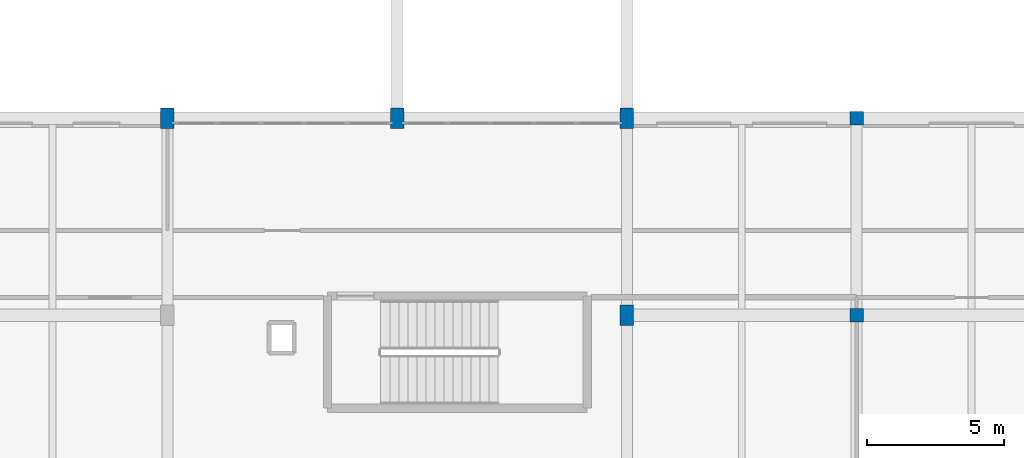
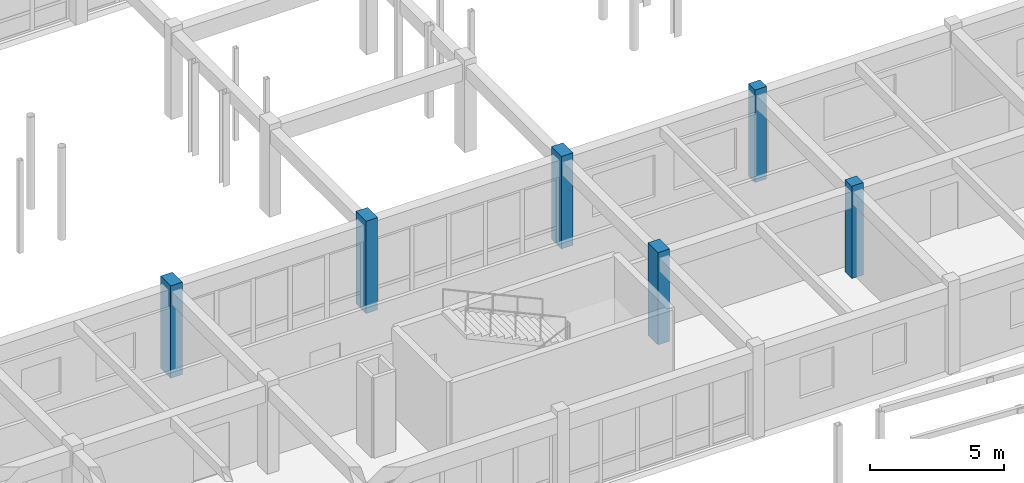
# One storey, part 18 of 90: 6 columns.
"""IFC4 building model written with IfcOpenShell, lengths in metres."""

from ifc_helpers import new_model, si_unit, direction, frame, origin, origin_2d, place, context, subcontext, project, spatial, rectangle, extrude, material, material_profile, profile_set, type_object, element, save


model = new_model("IFC4")

# Units and contexts
model_context = context("Model", 3, precision=1e-05, world=origin(), true_north=direction((0.0, 1.0)))
body_context = subcontext(model_context, "Body", "Model", "MODEL_VIEW")
ifc_project = project(units=[si_unit("LENGTHUNIT", "METRE"), si_unit("AREAUNIT", "SQUARE_METRE"), si_unit("VOLUMEUNIT", "CUBIC_METRE"), si_unit("PLANEANGLEUNIT", "RADIAN"), si_unit("MASSUNIT", "GRAM", prefix="KILO")], contexts=[model_context])

# Site, building, storey
site_placement = place(None, origin())
site = spatial("IfcSite", under=ifc_project, at=site_placement, CompositionType="ELEMENT")
building_placement = place(site_placement, origin())
building = spatial("IfcBuilding", under=site, at=building_placement, Name="Malvenik Polytechnic", CompositionType="ELEMENT")
storey_placement = place(building_placement, frame((0.0, 0.0, 9.300048828125)))
storey = spatial("IfcBuildingStorey", under=building, at=storey_placement, Name="L02", CompositionType="ELEMENT", Elevation=9.300048828125)

# Columns
ifc_material = material(Name="Concrete C35/45", Category="concrete")
ifc_material_profile_1 = material_profile(ifc_material, rectangle(XDim=0.5, YDim=0.5, at=origin_2d()), Name="RC COL 500x500")
ifc_profile_set_1 = profile_set([ifc_material_profile_1], Name="Concrete C35/45")
column_type_1 = type_object("IfcColumnType", Name="STR-COL-C-08", PredefinedType="COLUMN", material=ifc_profile_set_1)
for number, where, z_axis, x_axis, name in (
    (1, (92.39990234375, 86.39990234375, 0.0), (0.0, 0.0, 1.0), (1.0, 0.0, 0.0), "Column C-08 L02 (92.4,86.4)"),
    (2, (92.39990234375, 93.60009765625, 0.0), (0.0, 0.0, 1.0), (1.0, 0.0, 0.0), "Column C-08 L02 (92.4,93.6)"),
):
    element("IfcColumn", number, at=place(storey_placement, frame(where, z_axis=z_axis, x_axis=x_axis)), inside=storey, type_object=column_type_1, Name=name, PredefinedType="COLUMN", context=body_context, shape_type="SweptSolid", body=[
        extrude(rectangle(XDim=0.5, YDim=0.5, at=origin_2d()), origin(), (0.0, 0.0, 1.0), 4.199951171875),
    ])
ifc_material_profile_2 = material_profile(ifc_material, rectangle(XDim=0.5, YDim=0.75, at=origin_2d()), Name="RC COL 750x500")
ifc_profile_set_2 = profile_set([ifc_material_profile_2], Name="Concrete C35/45")
column_type_2 = type_object("IfcColumnType", Name="STR-COL-C-14", PredefinedType="COLUMN", material=ifc_profile_set_2)
for number, where, z_axis, x_axis, name in (
    (3, (67.199951171875, 93.60009765625, 0.0), (0.0, 0.0, 1.0), (1.0, 0.0, 0.0), "Column C-14 L02 (67.2,93.6)"),
    (4, (75.60009765625, 93.60009765625, 0.0), (0.0, 0.0, 1.0), (1.0, 0.0, 0.0), "Column C-14 L02 (75.6,93.6)"),
    (5, (84.0, 86.39990234375, 0.0), (0.0, 0.0, 1.0), (1.0, 0.0, 0.0), "Column C-14 L02 (84.0,86.4)"),
    (6, (84.0, 93.60009765625, 0.0), (0.0, 0.0, 1.0), (1.0, 0.0, 0.0), "Column C-14 L02 (84.0,93.6)"),
):
    element("IfcColumn", number, at=place(storey_placement, frame(where, z_axis=z_axis, x_axis=x_axis)), inside=storey, type_object=column_type_2, Name=name, PredefinedType="COLUMN", context=body_context, shape_type="SweptSolid", body=[
        extrude(rectangle(XDim=0.5, YDim=0.75, at=origin_2d()), origin(), (0.0, 0.0, 1.0), 4.199951171875),
    ])

save(model, "model.ifc")
